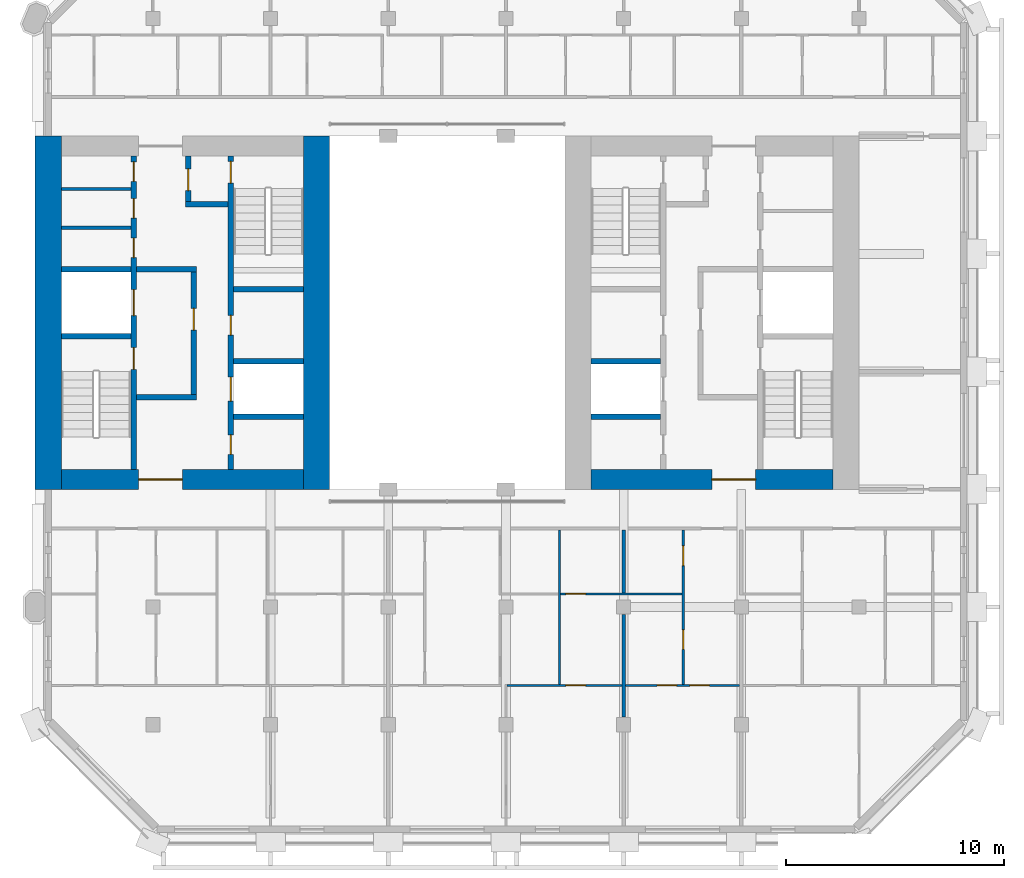
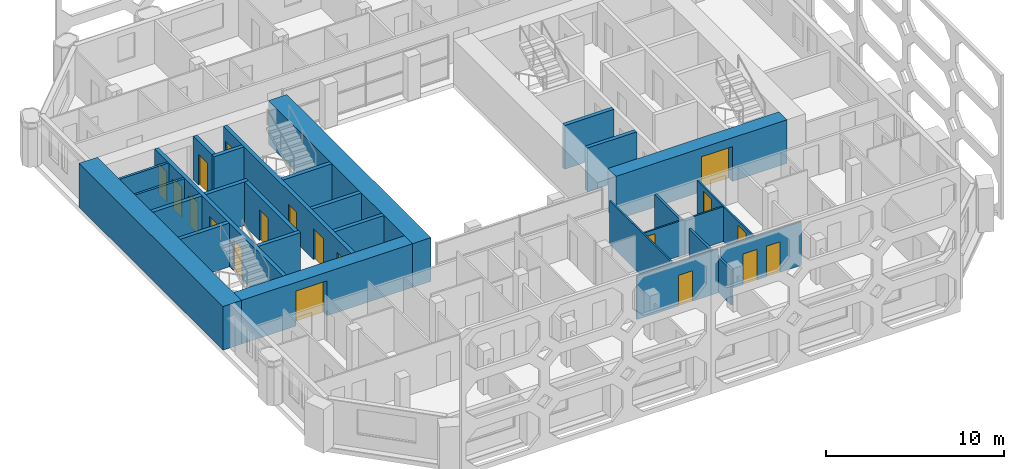
# One storey, part 7 of 15: 27 walls, 19 doors, 19 openings.
"""IFC4 building model written with IfcOpenShell, lengths in metres."""

from ifc_helpers import new_model, si_unit, direction, frame, frame_2d, origin, place, context, subcontext, project, spatial, rectangle, extrude, material, layer, layer_set, type_object, element, fill, save


model = new_model("IFC4")

# Units and contexts
model_context = context("Model", 3, precision=1e-05, world=origin(), true_north=direction((0.0, 1.0)))
body_context = subcontext(model_context, "Body", "Model", "MODEL_VIEW")
ifc_project = project(units=[si_unit("LENGTHUNIT", "METRE"), si_unit("AREAUNIT", "SQUARE_METRE"), si_unit("VOLUMEUNIT", "CUBIC_METRE"), si_unit("PLANEANGLEUNIT", "RADIAN"), si_unit("MASSUNIT", "GRAM", prefix="KILO")], contexts=[model_context])

# Site, building, storey
site_placement = place(None, origin())
site = spatial("IfcSite", under=ifc_project, at=site_placement, CompositionType="ELEMENT")
building_placement = place(site_placement, origin())
building = spatial("IfcBuilding", under=site, at=building_placement, Name="Tabaq Tower and Sports Hall", CompositionType="ELEMENT")
storey_placement = place(building_placement, frame((0.0, 0.0, 278.5)))
storey = spatial("IfcBuildingStorey", under=building, at=storey_placement, Name="L68", CompositionType="ELEMENT", Elevation=278.5)

# Walls
ifc_material_1 = material(Name="Blockwork", Category="masonry")
ifc_layer_1 = layer(ifc_material_1, 0.14990234375)
ifc_layer_set_1 = layer_set([ifc_layer_1], Name="Core room partition 150 Blockwork")
wall_type_1 = type_object("IfcWallType", Name="Core room partition 150 Blockwork", PredefinedType="PARTITIONING", material=ifc_layer_set_1)
for number, where, z_axis, x_axis, name in (
    (1, (6.60009765625, 28.200927734375, 0.0), (0.0, 0.0, 1.0), (1.0, 0.0, 0.0), "Core room partition W L68"),
    (2, (6.60009765625, 29.97705078125, 0.0), (0.0, 0.0, 1.0), (1.0, 0.0, 0.0), "Core room partition W L68"),
):
    element("IfcWall", number, at=place(storey_placement, frame(where, z_axis=z_axis, x_axis=x_axis)), inside=storey, type_object=wall_type_1, Name=name, PredefinedType="PARTITIONING", context=body_context, shape_type="SweptSolid", body=[
        extrude(rectangle(XDim=3.199951171875, YDim=0.14990234375, at=frame_2d((1.60009765625, 0.0))), origin(), (0.0, 0.0, 1.0), 3.0),
    ])
ifc_material_2 = material(Name="Concrete C40/50", Category="concrete")
ifc_layer_2 = layer(ifc_material_2, 1.199951171875)
ifc_layer_set_2 = layer_set([ifc_layer_2], Name="Core wall 1200 Concrete C40/50")
wall_type_2 = type_object("IfcWallType", Name="Core wall 1200 Concrete C40/50", PredefinedType="SOLIDWALL", material=ifc_layer_set_2)
for number, where, z_axis, x_axis, name in (
    (3, (6.0, 16.199951171875, 0.0), (0.0, 0.0, 1.0), (0.0, 1.0, 0.0), "Core wall W L68"),
    (4, (18.300048828125, 32.39990234375, 0.0), (0.0, 0.0, 1.0), (0.0, -1.0, 0.0), "Core wall W L68"),
):
    element("IfcWall", number, at=place(storey_placement, frame(where, z_axis=z_axis, x_axis=x_axis)), inside=storey, type_object=wall_type_2, Name=name, PredefinedType="SOLIDWALL", context=body_context, shape_type="SweptSolid", body=[
        extrude(rectangle(XDim=16.199951171875, YDim=1.199951171875, at=frame_2d((8.10009765625, 0.0))), origin(), (0.0, 0.0, 1.0), 3.0),
    ])

# Wall, opening, door
ifc_material_3 = material(Name="Concrete C40/50", Category="concrete")
ifc_layer_3 = layer(ifc_material_3, 0.89990234375)
ifc_layer_set_3 = layer_set([ifc_layer_3], Name="Core wall 900 Concrete C40/50")
wall_type_3 = type_object("IfcWallType", Name="Core wall 900 Concrete C40/50", PredefinedType="SOLIDWALL", material=ifc_layer_set_3)
wall_1_placement = place(storey_placement, frame((17.699951171875, 16.64990234375, 0.0), z_axis=(0.0, 0.0, 1.0), x_axis=(-1.0, 0.0, 0.0)))
wall_1 = element("IfcWall", 5, at=wall_1_placement, inside=storey, type_object=wall_type_3, Name="Core wall W L68", PredefinedType="SOLIDWALL", context=body_context, shape_type="SweptSolid", body=[
    extrude(rectangle(XDim=11.099853515625, YDim=0.89990234375, at=frame_2d((5.5498046875, 0.0))), origin(), (0.0, 0.0, 1.0), 3.0),
])
opening_1_placement = place(wall_1_placement, frame((5.550048828125, 0.0, 0.0)))
opening_1 = element("IfcOpeningElement", 6, at=opening_1_placement, cuts=wall_1, Name="Opening PD-WL68-01", PredefinedType="OPENING", context=body_context, shape_type="SweptSolid", body=[
    extrude(rectangle(XDim=2.0, YDim=2.39990234375, at=frame_2d((1.0, 1.199951171875))), frame((0.0, 0.449951171875, 0.0), z_axis=(0.0, -1.0, 0.0), x_axis=(1.0, 0.0, 0.0)), (0.0, 0.0, 1.0), 0.89990234375),
])
ifc_material_4 = material(Name="Steel fire door", Category="steel")
door_type_1 = type_object("IfcDoorType", Name="Core entrance door 2000", OperationType="DOUBLE_DOOR_SINGLE_SWING", PredefinedType="DOOR", material=ifc_material_4)
door_1_placement = place(opening_1_placement, origin())
door_1 = element("IfcDoor", 7, at=door_1_placement, inside=storey, type_object=door_type_1, Name="Core entrance south W L68", OperationType="DOUBLE_DOOR_SINGLE_SWING", OverallHeight=2.39990234375, OverallWidth=2.0, PredefinedType="DOOR", context=body_context, shape_type="SweptSolid", body=[
    extrude(rectangle(XDim=2.0, YDim=2.39990234375, at=frame_2d((1.0, 1.199951171875))), frame((0.0, 0.02490234375, 0.0), z_axis=(0.0, -1.0, 0.0), x_axis=(1.0, 0.0, 0.0)), (0.0, 0.0, 1.0), 0.050048828125),
])
fill(opening_1, door_1)

wall_2_placement = place(storey_placement, frame((42.0, 16.64990234375, 0.0), z_axis=(0.0, 0.0, 1.0), x_axis=(-1.0, 0.0, 0.0)))
wall_2 = element("IfcWall", 8, at=wall_2_placement, inside=storey, type_object=wall_type_3, Name="Core wall E L68", PredefinedType="SOLIDWALL", context=body_context, shape_type="SweptSolid", body=[
    extrude(rectangle(XDim=11.10009765625, YDim=0.89990234375, at=frame_2d((5.550048828125, 0.0))), origin(), (0.0, 0.0, 1.0), 3.0),
])
opening_2_placement = place(wall_2_placement, frame((3.550048828125, 0.0, 0.0)))
opening_2 = element("IfcOpeningElement", 9, at=opening_2_placement, cuts=wall_2, Name="Opening PD-EL68-01", PredefinedType="OPENING", context=body_context, shape_type="SweptSolid", body=[
    extrude(rectangle(XDim=2.0, YDim=2.39990234375, at=frame_2d((1.0, 1.199951171875))), frame((0.0, 0.449951171875, 0.0), z_axis=(0.0, -1.0, 0.0), x_axis=(1.0, 0.0, 0.0)), (0.0, 0.0, 1.0), 0.89990234375),
])
door_2_placement = place(opening_2_placement, origin())
door_2 = element("IfcDoor", 10, at=door_2_placement, inside=storey, type_object=door_type_1, Name="Core entrance south E L68", OperationType="DOUBLE_DOOR_SINGLE_SWING", OverallHeight=2.39990234375, OverallWidth=2.0, PredefinedType="DOOR", context=body_context, shape_type="SweptSolid", body=[
    extrude(rectangle(XDim=2.0, YDim=2.39990234375, at=frame_2d((1.0, 1.199951171875))), frame((0.0, 0.02490234375, 0.0), z_axis=(0.0, -1.0, 0.0), x_axis=(1.0, 0.0, 0.0)), (0.0, 0.0, 1.0), 0.050048828125),
])
fill(opening_2, door_2)

ifc_material_5 = material(Name="Gypsum board on steel studs", Category="steel")
ifc_layer_4 = layer(ifc_material_5, 0.10009765625)
ifc_layer_set_4 = layer_set([ifc_layer_4], Name="Partition 100 Gypsum board")
wall_type_4 = type_object("IfcWallType", Name="Partition 100 Gypsum board", PredefinedType="PARTITIONING", material=ifc_layer_set_4)
wall_3_placement = place(storey_placement, frame((32.324951171875, 7.199951171875, 0.0), z_axis=(0.0, 0.0, 1.0), x_axis=(-1.0, 0.0, 0.0)))
wall_3 = element("IfcWall", 11, at=wall_3_placement, inside=storey, type_object=wall_type_4, Name="Partition wall L68", PredefinedType="PARTITIONING", context=body_context, shape_type="SweptSolid", body=[
    extrude(rectangle(XDim=5.27490234375, YDim=0.10009765625, at=frame_2d((2.637451171875, 0.0))), origin(), (0.0, 0.0, 1.0), 3.0),
])
opening_3_placement = place(wall_3_placement, frame((1.675048828125, 0.0, 0.0)))
opening_3 = element("IfcOpeningElement", 12, at=opening_3_placement, cuts=wall_3, Name="Opening L68-042", PredefinedType="OPENING", context=body_context, shape_type="SweptSolid", body=[
    extrude(rectangle(XDim=0.89990234375, YDim=2.10009765625, at=frame_2d((0.449951171875, 1.050048828125))), frame((0.0, 0.050048828125, 0.0), z_axis=(0.0, -1.0, 0.0), x_axis=(1.0, 0.0, 0.0)), (0.0, 0.0, 1.0), 0.10009765625),
])
ifc_material_6 = material(Name="Timber leaf in steel frame", Category="steel")
door_type_2 = type_object("IfcDoorType", Name="Internal door 900 left hand", OperationType="SINGLE_SWING_LEFT", PredefinedType="DOOR", material=ifc_material_6)
door_3_placement = place(opening_3_placement, origin())
door_3 = element("IfcDoor", 13, at=door_3_placement, inside=storey, type_object=door_type_2, Name="Internal door L68-042", OperationType="SINGLE_SWING_LEFT", OverallHeight=2.10009765625, OverallWidth=0.89990234375, PredefinedType="DOOR", context=body_context, shape_type="SweptSolid", body=[
    extrude(rectangle(XDim=0.89990234375, YDim=2.10009765625, at=frame_2d((0.449951171875, 1.050048828125))), frame((0.0, 0.02490234375, 0.0), z_axis=(0.0, -1.0, 0.0), x_axis=(1.0, 0.0, 0.0)), (0.0, 0.0, 1.0), 0.050048828125),
])
fill(opening_3, door_3)

# Wall
wall_4_placement = place(storey_placement, frame((29.449951171875, 7.25, 0.0), z_axis=(0.0, 0.0, 1.0), x_axis=(0.0, 1.0, 0.0)))
element("IfcWall", 14, at=wall_4_placement, inside=storey, type_object=wall_type_4, Name="Partition wall L68", PredefinedType="PARTITIONING", context=body_context, shape_type="SweptSolid", body=[
    extrude(rectangle(XDim=7.074951171875, YDim=0.10009765625, at=frame_2d((3.53759765625, 0.0))), origin(), (0.0, 0.0, 1.0), 3.0),
])

# Wall, openings, doors
wall_5_placement = place(storey_placement, frame((37.72509765625, 7.199951171875, 0.0), z_axis=(0.0, 0.0, 1.0), x_axis=(-1.0, 0.0, 0.0)))
wall_5 = element("IfcWall", 15, at=wall_5_placement, inside=storey, type_object=wall_type_4, Name="Partition wall L68", PredefinedType="PARTITIONING", context=body_context, shape_type="SweptSolid", body=[
    extrude(rectangle(XDim=5.25, YDim=0.10009765625, at=frame_2d((2.625, 0.0))), origin(), (0.0, 0.0, 1.0), 3.0),
])
opening_4_placement = place(wall_5_placement, frame((2.889892578125, 0.0, 0.0)))
opening_4 = element("IfcOpeningElement", 16, at=opening_4_placement, cuts=wall_5, Name="Opening L68-044", PredefinedType="OPENING", context=body_context, shape_type="SweptSolid", body=[
    extrude(rectangle(XDim=0.89990234375, YDim=2.10009765625, at=frame_2d((0.449951171875, 1.050048828125))), frame((0.0, 0.050048828125, 0.0), z_axis=(0.0, -1.0, 0.0), x_axis=(1.0, 0.0, 0.0)), (0.0, 0.0, 1.0), 0.10009765625),
])
opening_5_placement = place(wall_5_placement, frame((1.389892578125, 0.0, 0.0)))
opening_5 = element("IfcOpeningElement", 17, at=opening_5_placement, cuts=wall_5, Name="Opening L68-045", PredefinedType="OPENING", context=body_context, shape_type="SweptSolid", body=[
    extrude(rectangle(XDim=0.89990234375, YDim=2.10009765625, at=frame_2d((0.449951171875, 1.050048828125))), frame((0.0, 0.050048828125, 0.0), z_axis=(0.0, -1.0, 0.0), x_axis=(1.0, 0.0, 0.0)), (0.0, 0.0, 1.0), 0.10009765625),
])
door_4_placement = place(opening_5_placement, origin())
door_4 = element("IfcDoor", 18, at=door_4_placement, inside=storey, type_object=door_type_2, Name="Internal door L68-045", OperationType="SINGLE_SWING_LEFT", OverallHeight=2.10009765625, OverallWidth=0.89990234375, PredefinedType="DOOR", context=body_context, shape_type="SweptSolid", body=[
    extrude(rectangle(XDim=0.89990234375, YDim=2.10009765625, at=frame_2d((0.449951171875, 1.050048828125))), frame((0.0, 0.02490234375, 0.0), z_axis=(0.0, -1.0, 0.0), x_axis=(1.0, 0.0, 0.0)), (0.0, 0.0, 1.0), 0.050048828125),
])
fill(opening_5, door_4)
ifc_material_7 = material(Name="Timber leaf in steel frame", Category="steel")
door_type_3 = type_object("IfcDoorType", Name="Internal door 900 right hand", OperationType="SINGLE_SWING_RIGHT", PredefinedType="DOOR", material=ifc_material_7)
door_5_placement = place(opening_4_placement, origin())
door_5 = element("IfcDoor", 19, at=door_5_placement, inside=storey, type_object=door_type_3, Name="Internal door L68-044", OperationType="SINGLE_SWING_RIGHT", OverallHeight=2.10009765625, OverallWidth=0.89990234375, PredefinedType="DOOR", context=body_context, shape_type="SweptSolid", body=[
    extrude(rectangle(XDim=0.89990234375, YDim=2.10009765625, at=frame_2d((0.449951171875, 1.050048828125))), frame((0.0, 0.02490234375, 0.0), z_axis=(0.0, -1.0, 0.0), x_axis=(1.0, 0.0, 0.0)), (0.0, 0.0, 1.0), 0.050048828125),
])
fill(opening_4, door_5)

# Wall, opening, door
wall_6_placement = place(storey_placement, frame((35.0849609375, 11.39990234375, 0.0), z_axis=(0.0, 0.0, 1.0), x_axis=(-1.0, 0.0, 0.0)))
wall_6 = element("IfcWall", 20, at=wall_6_placement, inside=storey, type_object=wall_type_4, Name="Partition wall L68", PredefinedType="PARTITIONING", context=body_context, shape_type="SweptSolid", body=[
    extrude(rectangle(XDim=5.5849609375, YDim=0.10009765625, at=frame_2d((2.79248046875, 0.0))), origin(), (0.0, 0.0, 1.0), 2.39990234375),
])
opening_6_placement = place(wall_6_placement, frame((4.43505859375, 0.0, 0.0)))
opening_6 = element("IfcOpeningElement", 21, at=opening_6_placement, cuts=wall_6, Name="Opening L68-018", PredefinedType="OPENING", context=body_context, shape_type="SweptSolid", body=[
    extrude(rectangle(XDim=0.89990234375, YDim=2.10009765625, at=frame_2d((0.449951171875, 1.050048828125))), frame((0.0, 0.050048828125, 0.0), z_axis=(0.0, -1.0, 0.0), x_axis=(1.0, 0.0, 0.0)), (0.0, 0.0, 1.0), 0.10009765625),
])
door_6_placement = place(opening_6_placement, origin())
door_6 = element("IfcDoor", 22, at=door_6_placement, inside=storey, type_object=door_type_3, Name="Internal door L68-018", OperationType="SINGLE_SWING_RIGHT", OverallHeight=2.10009765625, OverallWidth=0.89990234375, PredefinedType="DOOR", context=body_context, shape_type="SweptSolid", body=[
    extrude(rectangle(XDim=0.89990234375, YDim=2.10009765625, at=frame_2d((0.449951171875, 1.050048828125))), frame((0.0, 0.02490234375, 0.0), z_axis=(0.0, -1.0, 0.0), x_axis=(1.0, 0.0, 0.0)), (0.0, 0.0, 1.0), 0.050048828125),
])
fill(opening_6, door_6)

# Wall, openings, doors
wall_7_placement = place(storey_placement, frame((35.135009765625, 7.25, 0.0), z_axis=(0.0, 0.0, 1.0), x_axis=(0.0, 1.0, 0.0)))
wall_7 = element("IfcWall", 23, at=wall_7_placement, inside=storey, type_object=wall_type_4, Name="Partition wall L68", PredefinedType="PARTITIONING", context=body_context, shape_type="SweptSolid", body=[
    extrude(rectangle(XDim=7.074951171875, YDim=0.10009765625, at=frame_2d((3.53759765625, 0.0))), origin(), (0.0, 0.0, 1.0), 2.39990234375),
])
opening_7_placement = place(wall_7_placement, frame((5.449951171875, 0.0, 0.0)))
opening_7 = element("IfcOpeningElement", 24, at=opening_7_placement, cuts=wall_7, Name="Opening L68-019", PredefinedType="OPENING", context=body_context, shape_type="SweptSolid", body=[
    extrude(rectangle(XDim=0.89990234375, YDim=2.10009765625, at=frame_2d((0.449951171875, 1.050048828125))), frame((0.0, 0.050048828125, 0.0), z_axis=(0.0, -1.0, 0.0), x_axis=(1.0, 0.0, 0.0)), (0.0, 0.0, 1.0), 0.10009765625),
])
opening_8_placement = place(wall_7_placement, frame((1.60009765625, 0.0, 0.0)))
opening_8 = element("IfcOpeningElement", 25, at=opening_8_placement, cuts=wall_7, Name="Opening L68-046", PredefinedType="OPENING", context=body_context, shape_type="SweptSolid", body=[
    extrude(rectangle(XDim=0.89990234375, YDim=2.10009765625, at=frame_2d((0.449951171875, 1.050048828125))), frame((0.0, 0.050048828125, 0.0), z_axis=(0.0, -1.0, 0.0), x_axis=(1.0, 0.0, 0.0)), (0.0, 0.0, 1.0), 0.10009765625),
])
door_7_placement = place(opening_8_placement, origin())
door_7 = element("IfcDoor", 26, at=door_7_placement, inside=storey, type_object=door_type_2, Name="Internal door L68-046", OperationType="SINGLE_SWING_LEFT", OverallHeight=2.10009765625, OverallWidth=0.89990234375, PredefinedType="DOOR", context=body_context, shape_type="SweptSolid", body=[
    extrude(rectangle(XDim=0.89990234375, YDim=2.10009765625, at=frame_2d((0.449951171875, 1.050048828125))), frame((0.0, 0.02490234375, 0.0), z_axis=(0.0, -1.0, 0.0), x_axis=(1.0, 0.0, 0.0)), (0.0, 0.0, 1.0), 0.050048828125),
])
fill(opening_8, door_7)
door_8_placement = place(opening_7_placement, origin())
door_8 = element("IfcDoor", 27, at=door_8_placement, inside=storey, type_object=door_type_3, Name="Internal door L68-019", OperationType="SINGLE_SWING_RIGHT", OverallHeight=2.10009765625, OverallWidth=0.89990234375, PredefinedType="DOOR", context=body_context, shape_type="SweptSolid", body=[
    extrude(rectangle(XDim=0.89990234375, YDim=2.10009765625, at=frame_2d((0.449951171875, 1.050048828125))), frame((0.0, 0.02490234375, 0.0), z_axis=(0.0, -1.0, 0.0), x_axis=(1.0, 0.0, 0.0)), (0.0, 0.0, 1.0), 0.050048828125),
])
fill(opening_7, door_8)

# Walls
ifc_material_8 = material(Name="Blockwork", Category="masonry")
ifc_layer_5 = layer(ifc_material_8, 0.14990234375)
ifc_layer_set_5 = layer_set([ifc_layer_5], Name="Separating wall 150 Blockwork")
wall_type_5 = type_object("IfcWallType", Name="Separating wall 150 Blockwork", PredefinedType="PARTITIONING", material=ifc_layer_set_5)
wall_8_placement = place(storey_placement, frame((32.39990234375, 5.7451171875, 0.0), z_axis=(0.0, 0.0, 1.0), x_axis=(0.0, 1.0, 0.0)))
element("IfcWall", 28, at=wall_8_placement, inside=storey, type_object=wall_type_5, Name="Separating wall L68", PredefinedType="PARTITIONING", context=body_context, shape_type="SweptSolid", body=[
    extrude(rectangle(XDim=4.7099609375, YDim=0.14990234375, at=frame_2d((2.35498046875, 0.0))), origin(), (0.0, 0.0, 1.0), 2.39990234375),
])
wall_9_placement = place(storey_placement, frame((32.39990234375, 11.449951171875, 0.0), z_axis=(0.0, 0.0, 1.0), x_axis=(0.0, 1.0, 0.0)))
element("IfcWall", 29, at=wall_9_placement, inside=storey, type_object=wall_type_5, Name="Separating wall L68", PredefinedType="PARTITIONING", context=body_context, shape_type="SweptSolid", body=[
    extrude(rectangle(XDim=2.875, YDim=0.14990234375, at=frame_2d((1.4375, 0.0))), origin(), (0.0, 0.0, 1.0), 2.39990234375),
])

# Wall, openings, doors
ifc_material_9 = material(Name="Concrete C40/50", Category="concrete")
ifc_layer_6 = layer(ifc_material_9, 0.25)
ifc_layer_set_6 = layer_set([ifc_layer_6], Name="Shaft and stair wall 250 Concrete C40/50")
wall_type_6 = type_object("IfcWallType", Name="Shaft and stair wall 250 Concrete C40/50", PredefinedType="SOLIDWALL", material=ifc_layer_set_6)
wall_10_placement = place(storey_placement, frame((9.925048828125, 17.10009765625, 0.0), z_axis=(0.0, 0.0, 1.0), x_axis=(0.0, 1.0, 0.0)))
wall_10 = element("IfcWall", 30, at=wall_10_placement, inside=storey, type_object=wall_type_6, Name="Shaft wall W L68", PredefinedType="SOLIDWALL", context=body_context, shape_type="SweptSolid", body=[
    extrude(rectangle(XDim=14.39990234375, YDim=0.25, at=frame_2d((7.199951171875, 0.0))), origin(), (0.0, 0.0, 1.0), 3.0),
])
opening_9_placement = place(wall_10_placement, frame((4.60009765625, 0.0, 0.0)))
opening_9 = element("IfcOpeningElement", 31, at=opening_9_placement, cuts=wall_10, Name="Opening SD-WL68-03", PredefinedType="OPENING", context=body_context, shape_type="SweptSolid", body=[
    extrude(rectangle(XDim=1.0, YDim=2.10009765625, at=frame_2d((0.5, 1.050048828125))), frame((0.0, 0.125, 0.0), z_axis=(0.0, -1.0, 0.0), x_axis=(1.0, 0.0, 0.0)), (0.0, 0.0, 1.0), 0.25),
])
opening_10_placement = place(wall_10_placement, frame((7.0625, 0.0, 0.0)))
opening_10 = element("IfcOpeningElement", 32, at=opening_10_placement, cuts=wall_10, Name="Opening LD-FF1-L68", PredefinedType="OPENING", context=body_context, shape_type="SweptSolid", body=[
    extrude(rectangle(XDim=1.199951171875, YDim=2.10009765625, at=frame_2d((0.60009765625, 1.050048828125))), frame((0.0, 0.125, 0.0), z_axis=(0.0, -1.0, 0.0), x_axis=(1.0, 0.0, 0.0)), (0.0, 0.0, 1.0), 0.25),
])
opening_11_placement = place(wall_10_placement, frame((9.7255859375, 0.0, 0.0)))
opening_11 = element("IfcOpeningElement", 33, at=opening_11_placement, cuts=wall_10, Name="Opening RD-WL68-09", PredefinedType="OPENING", context=body_context, shape_type="SweptSolid", body=[
    extrude(rectangle(XDim=0.89990234375, YDim=2.10009765625, at=frame_2d((0.449951171875, 1.050048828125))), frame((0.0, 0.125, 0.0), z_axis=(0.0, -1.0, 0.0), x_axis=(1.0, 0.0, 0.0)), (0.0, 0.0, 1.0), 0.25),
])
opening_12_placement = place(wall_10_placement, frame((11.5390625, 0.0, 0.0)))
opening_12 = element("IfcOpeningElement", 34, at=opening_12_placement, cuts=wall_10, Name="Opening RD-WL68-10", PredefinedType="OPENING", context=body_context, shape_type="SweptSolid", body=[
    extrude(rectangle(XDim=0.89990234375, YDim=2.10009765625, at=frame_2d((0.449951171875, 1.050048828125))), frame((0.0, 0.125, 0.0), z_axis=(0.0, -1.0, 0.0), x_axis=(1.0, 0.0, 0.0)), (0.0, 0.0, 1.0), 0.25),
])
opening_13_placement = place(wall_10_placement, frame((13.22607421875, 0.0, 0.0)))
opening_13 = element("IfcOpeningElement", 35, at=opening_13_placement, cuts=wall_10, Name="Opening RD-WL68-11", PredefinedType="OPENING", context=body_context, shape_type="SweptSolid", body=[
    extrude(rectangle(XDim=0.89990234375, YDim=2.10009765625, at=frame_2d((0.449951171875, 1.050048828125))), frame((0.0, 0.125, 0.0), z_axis=(0.0, -1.0, 0.0), x_axis=(1.0, 0.0, 0.0)), (0.0, 0.0, 1.0), 0.25),
])
ifc_material_10 = material(Name="Steel fire door", Category="steel")
door_type_4 = type_object("IfcDoorType", Name="Core room door 900", OperationType="SINGLE_SWING_LEFT", PredefinedType="DOOR", material=ifc_material_10)
door_9_placement = place(opening_11_placement, origin())
door_9 = element("IfcDoor", 36, at=door_9_placement, inside=storey, type_object=door_type_4, Name="Door Cleaner's Store W L68", OperationType="SINGLE_SWING_LEFT", OverallHeight=2.10009765625, OverallWidth=0.89990234375, PredefinedType="DOOR", context=body_context, shape_type="SweptSolid", body=[
    extrude(rectangle(XDim=0.89990234375, YDim=2.10009765625, at=frame_2d((0.449951171875, 1.050048828125))), frame((0.0, 0.02490234375, 0.0), z_axis=(0.0, -1.0, 0.0), x_axis=(1.0, 0.0, 0.0)), (0.0, 0.0, 1.0), 0.050048828125),
])
fill(opening_11, door_9)
door_10_placement = place(opening_12_placement, origin())
door_10 = element("IfcDoor", 37, at=door_10_placement, inside=storey, type_object=door_type_4, Name="Door Refuse Room W L68", OperationType="SINGLE_SWING_LEFT", OverallHeight=2.10009765625, OverallWidth=0.89990234375, PredefinedType="DOOR", context=body_context, shape_type="SweptSolid", body=[
    extrude(rectangle(XDim=0.89990234375, YDim=2.10009765625, at=frame_2d((0.449951171875, 1.050048828125))), frame((0.0, 0.02490234375, 0.0), z_axis=(0.0, -1.0, 0.0), x_axis=(1.0, 0.0, 0.0)), (0.0, 0.0, 1.0), 0.050048828125),
])
fill(opening_12, door_10)
door_11_placement = place(opening_13_placement, origin())
door_11 = element("IfcDoor", 38, at=door_11_placement, inside=storey, type_object=door_type_4, Name="Door Riser Room W L68", OperationType="SINGLE_SWING_LEFT", OverallHeight=2.10009765625, OverallWidth=0.89990234375, PredefinedType="DOOR", context=body_context, shape_type="SweptSolid", body=[
    extrude(rectangle(XDim=0.89990234375, YDim=2.10009765625, at=frame_2d((0.449951171875, 1.050048828125))), frame((0.0, 0.02490234375, 0.0), z_axis=(0.0, -1.0, 0.0), x_axis=(1.0, 0.0, 0.0)), (0.0, 0.0, 1.0), 0.050048828125),
])
fill(opening_13, door_11)
ifc_material_11 = material(Name="Stainless steel", Category="steel")
door_type_5 = type_object("IfcDoorType", Name="Lift landing door 1200", OperationType="DOUBLE_DOOR_SLIDING", PredefinedType="DOOR", material=ifc_material_11)
door_12_placement = place(opening_10_placement, origin())
door_12 = element("IfcDoor", 39, at=door_12_placement, inside=storey, type_object=door_type_5, Name="Lift landing door FF1 W L68", OperationType="DOUBLE_DOOR_SLIDING", OverallHeight=2.10009765625, OverallWidth=1.199951171875, PredefinedType="DOOR", context=body_context, shape_type="SweptSolid", body=[
    extrude(rectangle(XDim=1.199951171875, YDim=2.10009765625, at=frame_2d((0.60009765625, 1.050048828125))), frame((0.0, 0.02490234375, 0.0), z_axis=(0.0, -1.0, 0.0), x_axis=(1.0, 0.0, 0.0)), (0.0, 0.0, 1.0), 0.050048828125),
])
fill(opening_10, door_12)
ifc_material_12 = material(Name="Steel fire door", Category="steel")
door_type_6 = type_object("IfcDoorType", Name="Stair door 1000", OperationType="SINGLE_SWING_LEFT", PredefinedType="DOOR", material=ifc_material_12)
door_13_placement = place(opening_9_placement, origin())
door_13 = element("IfcDoor", 40, at=door_13_placement, inside=storey, type_object=door_type_6, Name="Stair door ST1 W L68", OperationType="SINGLE_SWING_LEFT", OverallHeight=2.10009765625, OverallWidth=1.0, PredefinedType="DOOR", context=body_context, shape_type="SweptSolid", body=[
    extrude(rectangle(XDim=1.0, YDim=2.10009765625, at=frame_2d((0.5, 1.050048828125))), frame((0.0, 0.02490234375, 0.0), z_axis=(0.0, -1.0, 0.0), x_axis=(1.0, 0.0, 0.0)), (0.0, 0.0, 1.0), 0.050048828125),
])
fill(opening_9, door_13)

wall_11_placement = place(storey_placement, frame((14.375, 17.10009765625, 0.0), z_axis=(0.0, 0.0, 1.0), x_axis=(0.0, 1.0, 0.0)))
wall_11 = element("IfcWall", 41, at=wall_11_placement, inside=storey, type_object=wall_type_6, Name="Shaft wall W L68", PredefinedType="SOLIDWALL", context=body_context, shape_type="SweptSolid", body=[
    extrude(rectangle(XDim=14.39990234375, YDim=0.25, at=frame_2d((7.199951171875, 0.0))), origin(), (0.0, 0.0, 1.0), 3.0),
])
opening_14_placement = place(wall_11_placement, frame((13.14990234375, 0.0, 0.0)))
opening_14 = element("IfcOpeningElement", 42, at=opening_14_placement, cuts=wall_11, Name="Opening SD-WL68-05", PredefinedType="OPENING", context=body_context, shape_type="SweptSolid", body=[
    extrude(rectangle(XDim=1.0, YDim=2.10009765625, at=frame_2d((0.5, 1.050048828125))), frame((0.0, 0.125, 0.0), z_axis=(0.0, -1.0, 0.0), x_axis=(1.0, 0.0, 0.0)), (0.0, 0.0, 1.0), 0.25),
])
opening_15_placement = place(wall_11_placement, frame((3.14990234375, 0.0, 0.0)))
opening_15 = element("IfcOpeningElement", 43, at=opening_15_placement, cuts=wall_11, Name="Opening LD-HR1-L68", PredefinedType="OPENING", context=body_context, shape_type="SweptSolid", body=[
    extrude(rectangle(XDim=1.10009765625, YDim=2.10009765625, at=frame_2d((0.550048828125, 1.050048828125))), frame((0.0, 0.125, 0.0), z_axis=(0.0, -1.0, 0.0), x_axis=(1.0, 0.0, 0.0)), (0.0, 0.0, 1.0), 0.25),
])
opening_16_placement = place(wall_11_placement, frame((0.699951171875, 0.0, 0.0)))
opening_16 = element("IfcOpeningElement", 44, at=opening_16_placement, cuts=wall_11, Name="Opening RD-WL68-12", PredefinedType="OPENING", context=body_context, shape_type="SweptSolid", body=[
    extrude(rectangle(XDim=0.89990234375, YDim=2.10009765625, at=frame_2d((0.449951171875, 1.050048828125))), frame((0.0, 0.125, 0.0), z_axis=(0.0, -1.0, 0.0), x_axis=(1.0, 0.0, 0.0)), (0.0, 0.0, 1.0), 0.25),
])
opening_17_placement = place(wall_11_placement, frame((6.175048828125, 0.0, 0.0)))
opening_17 = element("IfcOpeningElement", 45, at=opening_17_placement, cuts=wall_11, Name="Opening RD-WL68-13", PredefinedType="OPENING", context=body_context, shape_type="SweptSolid", body=[
    extrude(rectangle(XDim=0.89990234375, YDim=2.10009765625, at=frame_2d((0.449951171875, 1.050048828125))), frame((0.0, 0.125, 0.0), z_axis=(0.0, -1.0, 0.0), x_axis=(1.0, 0.0, 0.0)), (0.0, 0.0, 1.0), 0.25),
])
door_14_placement = place(opening_16_placement, origin())
door_14 = element("IfcDoor", 46, at=door_14_placement, inside=storey, type_object=door_type_4, Name="Door Electrical Riser Room W L68", OperationType="SINGLE_SWING_LEFT", OverallHeight=2.10009765625, OverallWidth=0.89990234375, PredefinedType="DOOR", context=body_context, shape_type="SweptSolid", body=[
    extrude(rectangle(XDim=0.89990234375, YDim=2.10009765625, at=frame_2d((0.449951171875, 1.050048828125))), frame((0.0, 0.02490234375, 0.0), z_axis=(0.0, -1.0, 0.0), x_axis=(1.0, 0.0, 0.0)), (0.0, 0.0, 1.0), 0.050048828125),
])
fill(opening_16, door_14)
door_15_placement = place(opening_17_placement, origin())
door_15 = element("IfcDoor", 47, at=door_15_placement, inside=storey, type_object=door_type_4, Name="Door Riser Room W L68", OperationType="SINGLE_SWING_LEFT", OverallHeight=2.10009765625, OverallWidth=0.89990234375, PredefinedType="DOOR", context=body_context, shape_type="SweptSolid", body=[
    extrude(rectangle(XDim=0.89990234375, YDim=2.10009765625, at=frame_2d((0.449951171875, 1.050048828125))), frame((0.0, 0.02490234375, 0.0), z_axis=(0.0, -1.0, 0.0), x_axis=(1.0, 0.0, 0.0)), (0.0, 0.0, 1.0), 0.050048828125),
])
fill(opening_17, door_15)
ifc_material_13 = material(Name="Stainless steel", Category="steel")
door_type_7 = type_object("IfcDoorType", Name="Lift landing door 1100", OperationType="DOUBLE_DOOR_SLIDING", PredefinedType="DOOR", material=ifc_material_13)
door_16_placement = place(opening_15_placement, origin())
door_16 = element("IfcDoor", 48, at=door_16_placement, inside=storey, type_object=door_type_7, Name="Lift landing door HR1 W L68", OperationType="DOUBLE_DOOR_SLIDING", OverallHeight=2.10009765625, OverallWidth=1.10009765625, PredefinedType="DOOR", context=body_context, shape_type="SweptSolid", body=[
    extrude(rectangle(XDim=1.10009765625, YDim=2.10009765625, at=frame_2d((0.550048828125, 1.050048828125))), frame((0.0, 0.02490234375, 0.0), z_axis=(0.0, -1.0, 0.0), x_axis=(1.0, 0.0, 0.0)), (0.0, 0.0, 1.0), 0.050048828125),
])
fill(opening_15, door_16)
door_17_placement = place(opening_14_placement, origin())
door_17 = element("IfcDoor", 49, at=door_17_placement, inside=storey, type_object=door_type_6, Name="Stair door ST2 W L68", OperationType="SINGLE_SWING_LEFT", OverallHeight=2.10009765625, OverallWidth=1.0, PredefinedType="DOOR", context=body_context, shape_type="SweptSolid", body=[
    extrude(rectangle(XDim=1.0, YDim=2.10009765625, at=frame_2d((0.5, 1.050048828125))), frame((0.0, 0.02490234375, 0.0), z_axis=(0.0, -1.0, 0.0), x_axis=(1.0, 0.0, 0.0)), (0.0, 0.0, 1.0), 0.050048828125),
])
fill(opening_14, door_17)

# Walls
for number, where, z_axis, x_axis, name in (
    (50, (6.60009765625, 23.22509765625, 0.0), (0.0, 0.0, 1.0), (1.0, 0.0, 0.0), "Stair enclosure wall W L68"),
    (51, (14.5, 25.375, 0.0), (0.0, 0.0, 1.0), (1.0, 0.0, 0.0), "Stair enclosure wall W L68"),
    (52, (14.5, 22.074951171875, 0.0), (0.0, 0.0, 1.0), (1.0, 0.0, 0.0), "Shaft wall W L68"),
    (53, (6.60009765625, 26.300048828125, 0.0), (0.0, 0.0, 1.0), (1.0, 0.0, 0.0), "Shaft wall W L68"),
):
    element("IfcWall", number, at=place(storey_placement, frame(where, z_axis=z_axis, x_axis=x_axis)), inside=storey, type_object=wall_type_6, Name=name, PredefinedType="SOLIDWALL", context=body_context, shape_type="SweptSolid", body=[
        extrude(rectangle(XDim=3.199951171875, YDim=0.25, at=frame_2d((1.60009765625, 0.0))), origin(), (0.0, 0.0, 1.0), 3.0),
    ])
for number, where, z_axis, x_axis, name in (
    (54, (10.050048828125, 26.300048828125, 0.0), (0.0, 0.0, 1.0), (1.0, 0.0, 0.0), "Fire-fighting lobby wall W L68"),
    (55, (10.050048828125, 20.425048828125, 0.0), (0.0, 0.0, 1.0), (1.0, 0.0, 0.0), "Fire-fighting lobby wall W L68"),
):
    element("IfcWall", number, at=place(storey_placement, frame(where, z_axis=z_axis, x_axis=x_axis)), inside=storey, type_object=wall_type_6, Name=name, PredefinedType="SOLIDWALL", context=body_context, shape_type="SweptSolid", body=[
        extrude(rectangle(XDim=2.75, YDim=0.25, at=frame_2d((1.375, 0.0))), origin(), (0.0, 0.0, 1.0), 3.0),
    ])

# Wall, opening, door
wall_12_placement = place(storey_placement, frame((12.425048828125, 29.39990234375, 0.0), z_axis=(0.0, 0.0, 1.0), x_axis=(0.0, 1.0, 0.0)))
wall_12 = element("IfcWall", 56, at=wall_12_placement, inside=storey, type_object=wall_type_6, Name="Fire-fighting lobby wall W L68", PredefinedType="SOLIDWALL", context=body_context, shape_type="SweptSolid", body=[
    extrude(rectangle(XDim=2.10009765625, YDim=0.25, at=frame_2d((1.050048828125, 0.0))), origin(), (0.0, 0.0, 1.0), 3.0),
])
opening_18_placement = place(wall_12_placement, frame((0.5, 0.0, 0.0)))
opening_18 = element("IfcOpeningElement", 57, at=opening_18_placement, cuts=wall_12, Name="Opening FD-WL68-06", PredefinedType="OPENING", context=body_context, shape_type="SweptSolid", body=[
    extrude(rectangle(XDim=1.0, YDim=2.10009765625, at=frame_2d((0.5, 1.050048828125))), frame((0.0, 0.125, 0.0), z_axis=(0.0, -1.0, 0.0), x_axis=(1.0, 0.0, 0.0)), (0.0, 0.0, 1.0), 0.25),
])
ifc_material_14 = material(Name="Steel fire door", Category="steel")
door_type_8 = type_object("IfcDoorType", Name="Fire-fighting lobby door 1000", OperationType="SINGLE_SWING_LEFT", PredefinedType="DOOR", material=ifc_material_14)
door_18_placement = place(opening_18_placement, origin())
door_18 = element("IfcDoor", 58, at=door_18_placement, inside=storey, type_object=door_type_8, Name="Stair lobby door W L68", OperationType="SINGLE_SWING_LEFT", OverallHeight=2.10009765625, OverallWidth=1.0, PredefinedType="DOOR", context=body_context, shape_type="SweptSolid", body=[
    extrude(rectangle(XDim=1.0, YDim=2.10009765625, at=frame_2d((0.5, 1.050048828125))), frame((0.0, 0.02490234375, 0.0), z_axis=(0.0, -1.0, 0.0), x_axis=(1.0, 0.0, 0.0)), (0.0, 0.0, 1.0), 0.050048828125),
])
fill(opening_18, door_18)

# Wall
wall_13_placement = place(storey_placement, frame((12.300048828125, 29.27490234375, 0.0), z_axis=(0.0, 0.0, 1.0), x_axis=(1.0, 0.0, 0.0)))
element("IfcWall", 59, at=wall_13_placement, inside=storey, type_object=wall_type_6, Name="Fire-fighting lobby wall W L68", PredefinedType="SOLIDWALL", context=body_context, shape_type="SweptSolid", body=[
    extrude(rectangle(XDim=1.949951171875, YDim=0.25, at=frame_2d((0.97509765625, 0.0))), origin(), (0.0, 0.0, 1.0), 3.0),
])

# Wall, opening, door
wall_14_placement = place(storey_placement, frame((12.675048828125, 20.550048828125, 0.0), z_axis=(0.0, 0.0, 1.0), x_axis=(0.0, 1.0, 0.0)))
wall_14 = element("IfcWall", 60, at=wall_14_placement, inside=storey, type_object=wall_type_6, Name="Fire-fighting lobby wall W L68", PredefinedType="SOLIDWALL", context=body_context, shape_type="SweptSolid", body=[
    extrude(rectangle(XDim=5.625, YDim=0.25, at=frame_2d((2.8125, 0.0))), origin(), (0.0, 0.0, 1.0), 3.0),
])
opening_19_placement = place(wall_14_placement, frame((2.949951171875, 0.0, 0.0)))
opening_19 = element("IfcOpeningElement", 61, at=opening_19_placement, cuts=wall_14, Name="Opening FD-WL68-04", PredefinedType="OPENING", context=body_context, shape_type="SweptSolid", body=[
    extrude(rectangle(XDim=1.0, YDim=2.10009765625, at=frame_2d((0.5, 1.050048828125))), frame((0.0, 0.125, 0.0), z_axis=(0.0, -1.0, 0.0), x_axis=(1.0, 0.0, 0.0)), (0.0, 0.0, 1.0), 0.25),
])
door_19_placement = place(opening_19_placement, origin())
door_19 = element("IfcDoor", 62, at=door_19_placement, inside=storey, type_object=door_type_8, Name="Fire-fighting lobby door W L68", OperationType="SINGLE_SWING_LEFT", OverallHeight=2.10009765625, OverallWidth=1.0, PredefinedType="DOOR", context=body_context, shape_type="SweptSolid", body=[
    extrude(rectangle(XDim=1.0, YDim=2.10009765625, at=frame_2d((0.5, 1.050048828125))), frame((0.0, 0.02490234375, 0.0), z_axis=(0.0, -1.0, 0.0), x_axis=(1.0, 0.0, 0.0)), (0.0, 0.0, 1.0), 0.050048828125),
])
fill(opening_19, door_19)

# Walls
wall_15_placement = place(storey_placement, frame((14.5, 19.52490234375, 0.0), z_axis=(0.0, 0.0, 1.0), x_axis=(1.0, 0.0, 0.0)))
element("IfcWall", 63, at=wall_15_placement, inside=storey, type_object=wall_type_6, Name="Shaft wall W L68", PredefinedType="SOLIDWALL", context=body_context, shape_type="SweptSolid", body=[
    extrude(rectangle(XDim=3.199951171875, YDim=0.25, at=frame_2d((1.60009765625, 0.0))), origin(), (0.0, 0.0, 1.0), 3.0),
])
for number, where, z_axis, x_axis, name in (
    (64, (30.89990234375, 22.074951171875, 0.0), (0.0, 0.0, 1.0), (1.0, 0.0, 0.0), "Shaft wall E L68"),
    (65, (30.89990234375, 19.52490234375, 0.0), (0.0, 0.0, 1.0), (1.0, 0.0, 0.0), "Shaft wall E L68"),
):
    element("IfcWall", number, at=place(storey_placement, frame(where, z_axis=z_axis, x_axis=x_axis)), inside=storey, type_object=wall_type_6, Name=name, PredefinedType="SOLIDWALL", context=body_context, shape_type="SweptSolid", body=[
        extrude(rectangle(XDim=3.2001953125, YDim=0.25, at=frame_2d((1.60009765625, 0.0))), origin(), (0.0, 0.0, 1.0), 3.0),
    ])

save(model, "model.ifc")
